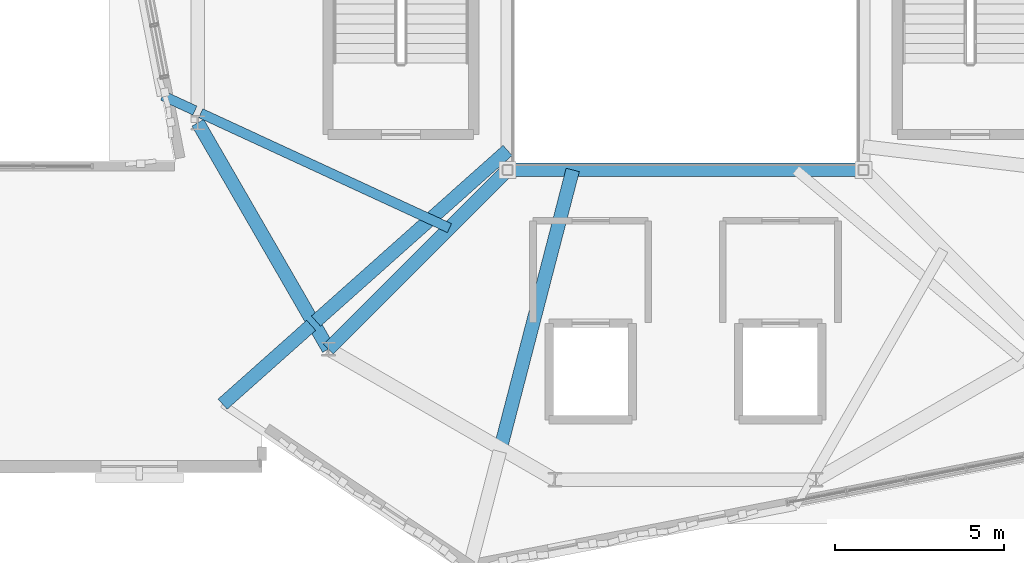
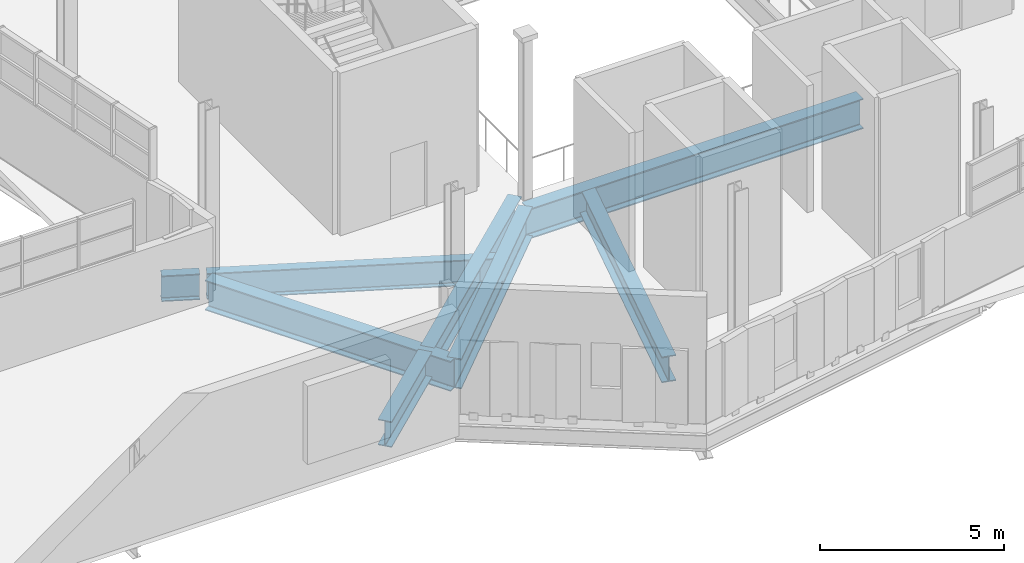
# One storey, part 26 of 142: 8 beams.
"""IFC4 building model written with IfcOpenShell, lengths in metres."""

from ifc_helpers import new_model, si_unit, direction, frame, origin, origin_2d, place, context, subcontext, project, spatial, i_section, extrude, material, material_profile, profile_set, type_object, element, save


model = new_model("IFC4")

# Units and contexts
model_context = context("Model", 3, precision=1e-05, world=origin(), true_north=direction((0.0, 1.0)))
body_context = subcontext(model_context, "Body", "Model", "MODEL_VIEW")
ifc_project = project(units=[si_unit("LENGTHUNIT", "METRE"), si_unit("AREAUNIT", "SQUARE_METRE"), si_unit("VOLUMEUNIT", "CUBIC_METRE"), si_unit("PLANEANGLEUNIT", "RADIAN"), si_unit("MASSUNIT", "GRAM", prefix="KILO"), si_unit("THERMODYNAMICTEMPERATUREUNIT", "KELVIN"), si_unit("POWERUNIT", "WATT")], contexts=[model_context])

# Site, building, storey
site_placement = place(None, origin())
site = spatial("IfcSite", under=ifc_project, at=site_placement, CompositionType="ELEMENT")
building_placement = place(site_placement, origin())
building = spatial("IfcBuilding", under=site, at=building_placement, Name="Zelmaris Science Centre", CompositionType="ELEMENT")
storey_placement = place(building_placement, frame((0.0, 0.0, 5.39990234375)))
storey = spatial("IfcBuildingStorey", under=building, at=storey_placement, Name="L01", CompositionType="ELEMENT", Elevation=5.39990234375)

# Beams
ifc_material = material(Name="Steel ASTM A992 Grade 50", Category="steel")
ifc_material_profile_1 = material_profile(ifc_material, i_section(OverallWidth=0.40087890625, OverallDepth=0.85595703125, WebThickness=0.018310546875, FlangeThickness=0.029296875, FilletRadius=0.02001953125, at=origin_2d()), Name="W33X201")
ifc_profile_set_1 = profile_set([ifc_material_profile_1], Name="Steel ASTM A992 Grade 50")
beam_type_1 = type_object("IfcBeamType", Name="Beam G-05 W33X201", PredefinedType="BEAM", material=ifc_profile_set_1)
beam_1_placement = place(storey_placement, frame((75.75, 31.325927734375, -0.727783203125), z_axis=(-0.746866528524, -0.66497397586, 0.0), x_axis=(0.66497397586, -0.746866528524, 0.0)))
element("IfcBeam", 1, at=beam_1_placement, inside=storey, type_object=beam_type_1, Name="L01 Overhang back-span girder 12", PredefinedType="BEAM", context=body_context, shape_type="SweptSolid", body=[
    extrude(i_section(OverallWidth=0.40087890625, OverallDepth=0.85595703125, WebThickness=0.018310546875, FlangeThickness=0.029296875, FilletRadius=0.02001953125, at=origin_2d()), origin(), (0.0, 0.0, 1.0), 7.572265625),
])
beam_2_placement = place(storey_placement, frame((69.952392578125, 26.164306640625, -0.727783203125), z_axis=(-0.746877822883, -0.664961290366, 0.0), x_axis=(0.664961290366, -0.746877822883, 0.0)))
element("IfcBeam", 2, at=beam_2_placement, inside=storey, type_object=beam_type_1, Name="L01 Radial overhang girder 12", PredefinedType="BEAM", context=body_context, shape_type="SweptSolid", body=[
    extrude(i_section(OverallWidth=0.40087890625, OverallDepth=0.85595703125, WebThickness=0.018310546875, FlangeThickness=0.029296875, FilletRadius=0.02001953125, at=origin_2d()), origin(), (0.0, 0.0, 1.0), 3.4990234375),
])
ifc_material_profile_2 = material_profile(ifc_material, i_section(OverallWidth=0.40087890625, OverallDepth=1.0009765625, WebThickness=0.01904296875, FlangeThickness=0.0361328125, FilletRadius=0.02490234375, at=origin_2d()), Name="W40X249")
ifc_profile_set_2 = profile_set([ifc_material_profile_2], Name="Steel ASTM A992 Grade 50")
beam_type_2 = type_object("IfcBeamType", Name="Beam G-22 W40X249", PredefinedType="BEAM", material=ifc_profile_set_2)
beam_3_placement = place(storey_placement, frame((66.607666015625, 32.1435546875, -0.80029296875), z_axis=(0.500006504531, -0.866021648359, 0.0), x_axis=(0.866021648359, 0.500006504531, 0.0)))
element("IfcBeam", 3, at=beam_3_placement, inside=storey, type_object=beam_type_2, Name="L01 Exhibition inner ring girder 7", PredefinedType="BEAM", context=body_context, shape_type="SweptSolid", body=[
    extrude(i_section(OverallWidth=0.40087890625, OverallDepth=1.0009765625, WebThickness=0.01904296875, FlangeThickness=0.0361328125, FilletRadius=0.02490234375, at=origin_2d()), origin(), (0.0, 0.0, 1.0), 7.712890625),
])
beam_4_placement = place(storey_placement, frame((75.75, 30.75, -0.80029296875), z_axis=(1.0, 0.0, 0.0), x_axis=(0.0, 1.0, 0.0)))
element("IfcBeam", 4, at=beam_4_placement, inside=storey, type_object=beam_type_2, Name="L01 Atrium framing girder 1", PredefinedType="BEAM", context=body_context, shape_type="SweptSolid", body=[
    extrude(i_section(OverallWidth=0.40087890625, OverallDepth=1.0009765625, WebThickness=0.01904296875, FlangeThickness=0.0361328125, FilletRadius=0.02490234375, at=origin_2d()), origin(), (0.0, 0.0, 1.0), 10.5),
])
beam_5_placement = place(storey_placement, frame((75.75, 30.75, -0.80029296875), z_axis=(-0.707106781187, -0.707106781187, 0.0), x_axis=(0.707106781187, -0.707106781187, 0.0)))
element("IfcBeam", 5, at=beam_5_placement, inside=storey, type_object=beam_type_2, Name="L01 Atrium diagonal header girder 1", PredefinedType="BEAM", context=body_context, shape_type="SweptSolid", body=[
    extrude(i_section(OverallWidth=0.40087890625, OverallDepth=1.0009765625, WebThickness=0.01904296875, FlangeThickness=0.0361328125, FilletRadius=0.02490234375, at=origin_2d()), origin(), (0.0, 0.0, 1.0), 7.475341796875),
])
ifc_material_profile_3 = material_profile(ifc_material, i_section(OverallWidth=0.404052734375, OverallDepth=0.861083984375, WebThickness=0.019775390625, FlangeThickness=0.032470703125, FilletRadius=0.02001953125, at=origin_2d()), Name="W33X221")
ifc_profile_set_3 = profile_set([ifc_material_profile_3], Name="Steel ASTM A992 Grade 50")
beam_type_3 = type_object("IfcBeamType", Name="Beam G-28 W33X221", PredefinedType="BEAM", material=ifc_profile_set_3)
beam_6_placement = place(storey_placement, frame((77.671142578125, 30.75, -0.73046875), z_axis=(-0.250930866161, -0.968005010528, 0.0), x_axis=(0.968005010528, -0.250930866161, 0.0)))
element("IfcBeam", 6, at=beam_6_placement, inside=storey, type_object=beam_type_3, Name="L01 Overhang back-span girder 1", PredefinedType="BEAM", context=body_context, shape_type="SweptSolid", body=[
    extrude(i_section(OverallWidth=0.404052734375, OverallDepth=0.861083984375, WebThickness=0.019775390625, FlangeThickness=0.032470703125, FilletRadius=0.02001953125, at=origin_2d()), origin(), (0.0, 0.0, 1.0), 8.3935546875),
])
ifc_material_profile_4 = material_profile(ifc_material, i_section(OverallWidth=0.2919921875, OverallDepth=0.85888671875, WebThickness=0.01708984375, FlangeThickness=0.031005859375, FilletRadius=0.02001953125, at=origin_2d()), Name="W33X169")
ifc_profile_set_4 = profile_set([ifc_material_profile_4], Name="Steel ASTM A992 Grade 50")
beam_type_4 = type_object("IfcBeamType", Name="Beam G-29 W33X169", PredefinedType="BEAM", material=ifc_profile_set_4)
beam_7_placement = place(storey_placement, frame((74.033203125, 29.033203125, -0.7294921875), z_axis=(-0.907841793714, 0.419312863606, 0.0), x_axis=(-0.419312863606, -0.907841793714, 0.0)))
element("IfcBeam", 7, at=beam_7_placement, inside=storey, type_object=beam_type_4, Name="L01 Overhang back-span girder 11", PredefinedType="BEAM", context=body_context, shape_type="SweptSolid", body=[
    extrude(i_section(OverallWidth=0.2919921875, OverallDepth=0.85888671875, WebThickness=0.01708984375, FlangeThickness=0.031005859375, FilletRadius=0.02001953125, at=origin_2d()), origin(), (0.0, 0.0, 1.0), 8.08447265625),
])
beam_8_placement = place(storey_placement, frame((66.521484375, 32.502685546875, -0.7294921875), z_axis=(-0.907829861301, 0.419338697154, 0.0), x_axis=(-0.419338697154, -0.907829861301, 0.0)))
element("IfcBeam", 8, at=beam_8_placement, inside=storey, type_object=beam_type_4, Name="L01 Radial overhang girder 11", PredefinedType="BEAM", context=body_context, shape_type="SweptSolid", body=[
    extrude(i_section(OverallWidth=0.2919921875, OverallDepth=0.85888671875, WebThickness=0.01708984375, FlangeThickness=0.031005859375, FilletRadius=0.02001953125, at=origin_2d()), origin(), (0.0, 0.0, 1.0), 1.048583984375),
])

save(model, "model.ifc")
